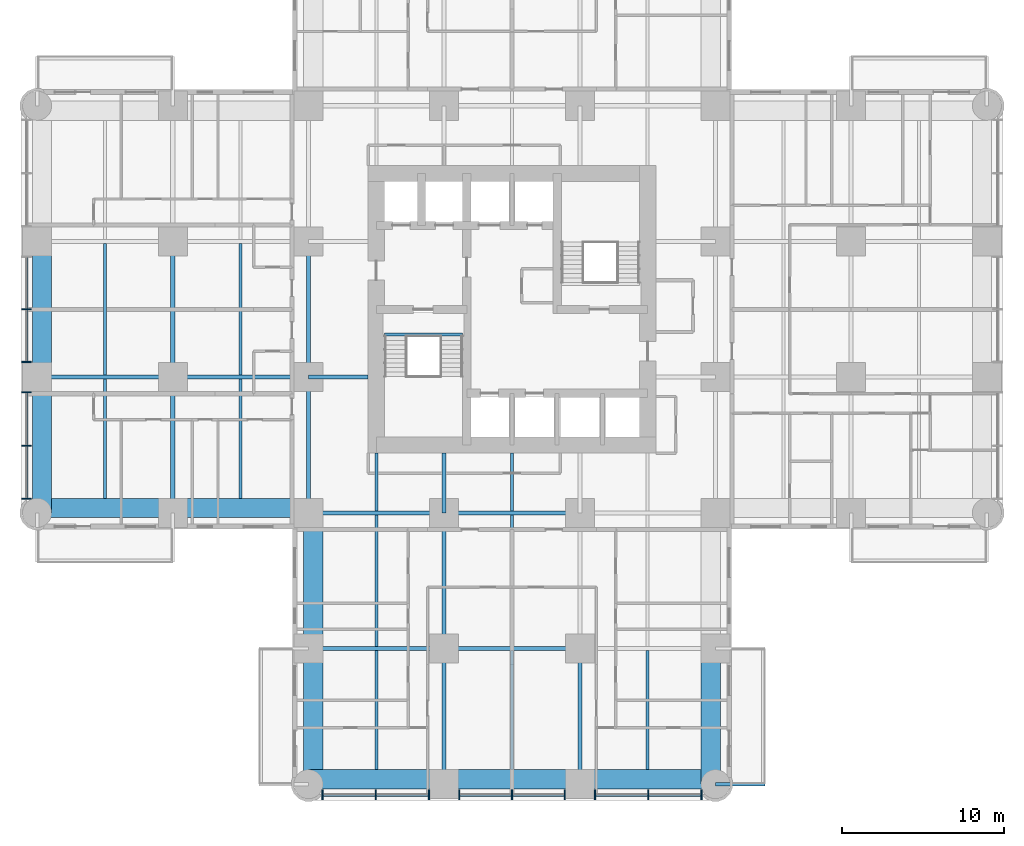
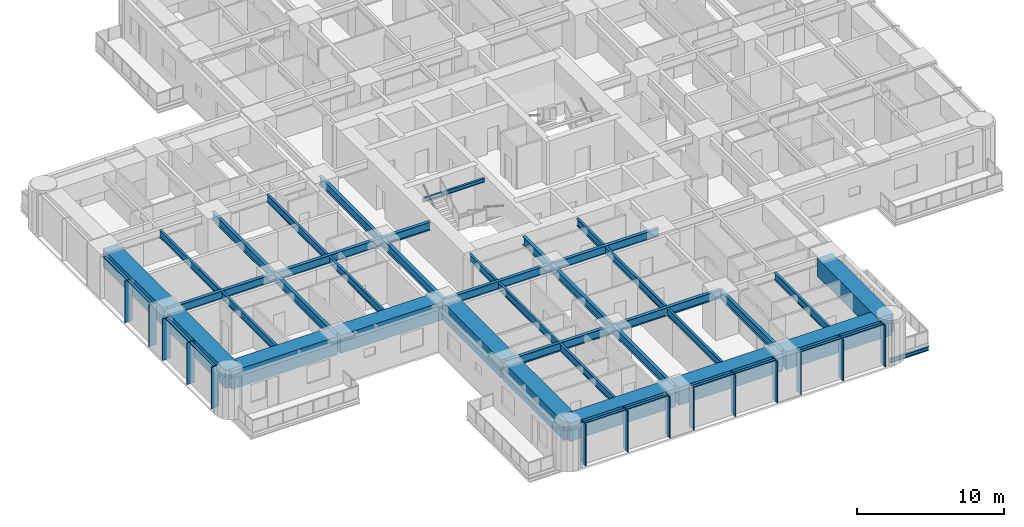
# One storey, part 2 of 17: 38 beams, 24 members, 2 elements without a shape of their own.
"""IFC4 building model written with IfcOpenShell, lengths in metres."""

from ifc_helpers import new_model, si_unit, direction, frame, origin, origin_2d, place, context, subcontext, project, spatial, rectangle, i_section, extrude, material, material_profile, profile_set, type_object, element, aggregate, save


model = new_model("IFC4")

# Units and contexts
model_context = context("Model", 3, precision=1e-05, world=origin(), true_north=direction((0.0, 1.0)))
body_context = subcontext(model_context, "Body", "Model", "MODEL_VIEW")
ifc_project = project(units=[si_unit("LENGTHUNIT", "METRE"), si_unit("AREAUNIT", "SQUARE_METRE"), si_unit("VOLUMEUNIT", "CUBIC_METRE"), si_unit("PLANEANGLEUNIT", "RADIAN"), si_unit("MASSUNIT", "GRAM", prefix="KILO")], contexts=[model_context])

# Site, building, storey
site_placement = place(None, origin())
site = spatial("IfcSite", under=ifc_project, at=site_placement, CompositionType="ELEMENT")
building_placement = place(site_placement, origin())
building = spatial("IfcBuilding", under=site, at=building_placement, Name="Torre Alcanfor", CompositionType="ELEMENT")
storey_placement = place(building_placement, frame((0.0, 0.0, 77.699951171875)))
storey = spatial("IfcBuildingStorey", under=building, at=storey_placement, Name="L19", CompositionType="ELEMENT", Elevation=77.699951171875)

# Beam
ifc_material_1 = material(Name="Steel ASTM A992 Grade 50", Category="steel")
ifc_material_profile_1 = material_profile(ifc_material_1, i_section(OverallWidth=0.205322265625, OverallDepth=0.309814453125, WebThickness=0.00927734375, FlangeThickness=0.016357421875, at=origin_2d()), Name="W12x50")
ifc_profile_set_1 = profile_set([ifc_material_profile_1], Name="Steel ASTM A992 Grade 50")
beam_type_1 = type_object("IfcBeamType", Name="Balcony cantilever beam W12x50", PredefinedType="BEAM", material=ifc_profile_set_1)
beam_1_placement = place(storey_placement, frame((42.0, 0.0, -0.35498046875), z_axis=(1.0, 0.0, 0.0), x_axis=(0.0, 1.0, 0.0)))
element("IfcBeam", 1, at=beam_1_placement, inside=storey, type_object=beam_type_1, Name="Balcony cantilever beam L19-S1 2", PredefinedType="BEAM", context=body_context, shape_type="SweptSolid", body=[
    extrude(i_section(OverallWidth=0.205322265625, OverallDepth=0.309814453125, WebThickness=0.00927734375, FlangeThickness=0.016357421875, at=origin_2d()), origin(), (0.0, 0.0, 1.0), 3.050048828125),
])

# Curtain wall, members
ifc_material_2 = material(Name="Aluminium and glass", Category="aluminium")
curtain_wall_type = type_object("IfcCurtainWallType", Name="CW-A unitised apartment glazing with vertical FIN", PredefinedType="NOTDEFINED", material=ifc_material_2)
curtain_wall_1_placement = place(storey_placement, origin())
curtain_wall_1 = element("IfcCurtainWall", 2, at=curtain_wall_1_placement, inside=storey, type_object=curtain_wall_type, Name="Curtain wall CW-A L19 2", PredefinedType="NOTDEFINED")
ifc_material_3 = material(Name="Bronze anodised aluminium", Category="aluminium")
ifc_material_profile_2 = material_profile(ifc_material_3, rectangle(XDim=0.60009765625, YDim=0.06494140625, at=origin_2d()), Name="CW-A mullion 65x600")
ifc_profile_set_2 = profile_set([ifc_material_profile_2], Name="Bronze anodised aluminium")
member_type_1 = type_object("IfcMemberType", Name="CW-A mullion with vertical FIN 65x600", PredefinedType="MULLION", material=ifc_profile_set_2)
member_1_placement = place(storey_placement, frame((-0.64990234375, 29.39990234375, 0.0), z_axis=(0.0, 0.0, 1.0), x_axis=(1.0, 0.0, 0.0)))
member_1 = element("IfcMember", 3, at=member_1_placement, type_object=member_type_1, Name="CW-A mullion 2.2", PredefinedType="MULLION", context=body_context, shape_type="SweptSolid", body=[
    extrude(rectangle(XDim=0.60009765625, YDim=0.06494140625, at=origin_2d()), origin(), (0.0, 0.0, 1.0), 3.449951171875),
])
member_2_placement = place(storey_placement, frame((-0.64990234375, 26.137451171875, 0.0), z_axis=(0.0, 0.0, 1.0), x_axis=(1.0, 0.0, 0.0)))
member_2 = element("IfcMember", 4, at=member_2_placement, type_object=member_type_1, Name="CW-A mullion 2.3", PredefinedType="MULLION", context=body_context, shape_type="SweptSolid", body=[
    extrude(rectangle(XDim=0.60009765625, YDim=0.06494140625, at=origin_2d()), origin(), (0.0, 0.0, 1.0), 3.449951171875),
])
member_3_placement = place(storey_placement, frame((-0.64990234375, 24.262451171875, 0.0), z_axis=(0.0, 0.0, 1.0), x_axis=(1.0, 0.0, 0.0)))
member_3 = element("IfcMember", 5, at=member_3_placement, type_object=member_type_1, Name="CW-A mullion 3.1", PredefinedType="MULLION", context=body_context, shape_type="SweptSolid", body=[
    extrude(rectangle(XDim=0.60009765625, YDim=0.06494140625, at=origin_2d()), origin(), (0.0, 0.0, 1.0), 3.449951171875),
])
member_4_placement = place(storey_placement, frame((-0.64990234375, 20.96484375, 0.0), z_axis=(0.0, 0.0, 1.0), x_axis=(1.0, 0.0, 0.0)))
member_4 = element("IfcMember", 6, at=member_4_placement, type_object=member_type_1, Name="CW-A mullion 3.2", PredefinedType="MULLION", context=body_context, shape_type="SweptSolid", body=[
    extrude(rectangle(XDim=0.60009765625, YDim=0.06494140625, at=origin_2d()), origin(), (0.0, 0.0, 1.0), 3.449951171875),
])
member_5_placement = place(storey_placement, frame((-0.64990234375, 17.6669921875, 0.0), z_axis=(0.0, 0.0, 1.0), x_axis=(1.0, 0.0, 0.0)))
member_5 = element("IfcMember", 7, at=member_5_placement, type_object=member_type_1, Name="CW-A mullion 3.3", PredefinedType="MULLION", context=body_context, shape_type="SweptSolid", body=[
    extrude(rectangle(XDim=0.60009765625, YDim=0.06494140625, at=origin_2d()), origin(), (0.0, 0.0, 1.0), 3.449951171875),
])

curtain_wall_2_placement = place(storey_placement, origin())
curtain_wall_2 = element("IfcCurtainWall", 8, at=curtain_wall_2_placement, inside=storey, type_object=curtain_wall_type, Name="Curtain wall CW-A L19 5", PredefinedType="NOTDEFINED")
member_6_placement = place(storey_placement, frame((17.6669921875, -0.64990234375, 0.0), z_axis=(0.0, 0.0, 1.0), x_axis=(0.0, 1.0, 0.0)))
member_6 = element("IfcMember", 9, at=member_6_placement, type_object=member_type_1, Name="CW-A mullion 1.1", PredefinedType="MULLION", context=body_context, shape_type="SweptSolid", body=[
    extrude(rectangle(XDim=0.60009765625, YDim=0.06494140625, at=origin_2d()), origin(), (0.0, 0.0, 1.0), 3.449951171875),
])
member_7_placement = place(storey_placement, frame((20.96484375, -0.64990234375, 0.0), z_axis=(0.0, 0.0, 1.0), x_axis=(0.0, 1.0, 0.0)))
member_7 = element("IfcMember", 10, at=member_7_placement, type_object=member_type_1, Name="CW-A mullion 1.2", PredefinedType="MULLION", context=body_context, shape_type="SweptSolid", body=[
    extrude(rectangle(XDim=0.60009765625, YDim=0.06494140625, at=origin_2d()), origin(), (0.0, 0.0, 1.0), 3.449951171875),
])
member_8_placement = place(storey_placement, frame((24.262451171875, -0.64990234375, 0.0), z_axis=(0.0, 0.0, 1.0), x_axis=(0.0, 1.0, 0.0)))
member_8 = element("IfcMember", 11, at=member_8_placement, type_object=member_type_1, Name="CW-A mullion 1.3", PredefinedType="MULLION", context=body_context, shape_type="SweptSolid", body=[
    extrude(rectangle(XDim=0.60009765625, YDim=0.06494140625, at=origin_2d()), origin(), (0.0, 0.0, 1.0), 3.449951171875),
])
member_9_placement = place(storey_placement, frame((26.137451171875, -0.64990234375, 0.0), z_axis=(0.0, 0.0, 1.0), x_axis=(0.0, 1.0, 0.0)))
member_9 = element("IfcMember", 12, at=member_9_placement, type_object=member_type_1, Name="CW-A mullion 2.1", PredefinedType="MULLION", context=body_context, shape_type="SweptSolid", body=[
    extrude(rectangle(XDim=0.60009765625, YDim=0.06494140625, at=origin_2d()), origin(), (0.0, 0.0, 1.0), 3.449951171875),
])
member_10_placement = place(storey_placement, frame((29.39990234375, -0.64990234375, 0.0), z_axis=(0.0, 0.0, 1.0), x_axis=(0.0, 1.0, 0.0)))
member_10 = element("IfcMember", 13, at=member_10_placement, type_object=member_type_1, Name="CW-A mullion 2.2", PredefinedType="MULLION", context=body_context, shape_type="SweptSolid", body=[
    extrude(rectangle(XDim=0.60009765625, YDim=0.06494140625, at=origin_2d()), origin(), (0.0, 0.0, 1.0), 3.449951171875),
])
member_11_placement = place(storey_placement, frame((32.66259765625, -0.64990234375, 0.0), z_axis=(0.0, 0.0, 1.0), x_axis=(0.0, 1.0, 0.0)))
member_11 = element("IfcMember", 14, at=member_11_placement, type_object=member_type_1, Name="CW-A mullion 2.3", PredefinedType="MULLION", context=body_context, shape_type="SweptSolid", body=[
    extrude(rectangle(XDim=0.60009765625, YDim=0.06494140625, at=origin_2d()), origin(), (0.0, 0.0, 1.0), 3.449951171875),
])
member_12_placement = place(storey_placement, frame((34.53759765625, -0.64990234375, 0.0), z_axis=(0.0, 0.0, 1.0), x_axis=(0.0, 1.0, 0.0)))
member_12 = element("IfcMember", 15, at=member_12_placement, type_object=member_type_1, Name="CW-A mullion 3.1", PredefinedType="MULLION", context=body_context, shape_type="SweptSolid", body=[
    extrude(rectangle(XDim=0.60009765625, YDim=0.06494140625, at=origin_2d()), origin(), (0.0, 0.0, 1.0), 3.449951171875),
])
member_13_placement = place(storey_placement, frame((37.835205078125, -0.64990234375, 0.0), z_axis=(0.0, 0.0, 1.0), x_axis=(0.0, 1.0, 0.0)))
member_13 = element("IfcMember", 16, at=member_13_placement, type_object=member_type_1, Name="CW-A mullion 3.2", PredefinedType="MULLION", context=body_context, shape_type="SweptSolid", body=[
    extrude(rectangle(XDim=0.60009765625, YDim=0.06494140625, at=origin_2d()), origin(), (0.0, 0.0, 1.0), 3.449951171875),
])
member_14_placement = place(storey_placement, frame((41.133056640625, -0.64990234375, 0.0), z_axis=(0.0, 0.0, 1.0), x_axis=(0.0, 1.0, 0.0)))
member_14 = element("IfcMember", 17, at=member_14_placement, type_object=member_type_1, Name="CW-A mullion 3.3", PredefinedType="MULLION", context=body_context, shape_type="SweptSolid", body=[
    extrude(rectangle(XDim=0.60009765625, YDim=0.06494140625, at=origin_2d()), origin(), (0.0, 0.0, 1.0), 3.449951171875),
])

# Member
ifc_material_4 = material(Name="Extruded aluminium", Category="aluminium")
ifc_material_profile_3 = material_profile(ifc_material_4, rectangle(XDim=0.199951171875, YDim=0.06494140625, at=origin_2d()), Name="CW-A transom 200x65")
ifc_profile_set_3 = profile_set([ifc_material_profile_3], Name="Extruded aluminium")
member_type_2 = type_object("IfcMemberType", Name="CW-A transom 65x200", PredefinedType="USERDEFINED", material=ifc_profile_set_3)
member_15_placement = place(storey_placement, frame((-0.64990234375, 32.6298828125, 3.41748046875), z_axis=(0.0, -1.0, 0.0), x_axis=(1.0, 0.0, 0.0)))
member_15 = element("IfcMember", 18, at=member_15_placement, type_object=member_type_2, Name="CW-A transom 2.1.2", ObjectType="TRANSOM", PredefinedType="USERDEFINED", context=body_context, shape_type="SweptSolid", body=[
    extrude(rectangle(XDim=0.199951171875, YDim=0.06494140625, at=origin_2d()), origin(), (0.0, 0.0, 1.0), 3.197265625),
])

member_16_placement = place(storey_placement, frame((-0.64990234375, 29.367431640625, 3.41748046875), z_axis=(0.0, -1.0, 0.0), x_axis=(1.0, 0.0, 0.0)))
member_16 = element("IfcMember", 19, at=member_16_placement, type_object=member_type_2, Name="CW-A transom 2.2.2", ObjectType="TRANSOM", PredefinedType="USERDEFINED", context=body_context, shape_type="SweptSolid", body=[
    extrude(rectangle(XDim=0.199951171875, YDim=0.06494140625, at=origin_2d()), origin(), (0.0, 0.0, 1.0), 3.197509765625),
])

member_17_placement = place(storey_placement, frame((-0.64990234375, 24.22998046875, 3.41748046875), z_axis=(0.0, -1.0, 0.0), x_axis=(1.0, 0.0, 0.0)))
member_17 = element("IfcMember", 20, at=member_17_placement, type_object=member_type_2, Name="CW-A transom 3.1.2", ObjectType="TRANSOM", PredefinedType="USERDEFINED", context=body_context, shape_type="SweptSolid", body=[
    extrude(rectangle(XDim=0.199951171875, YDim=0.06494140625, at=origin_2d()), origin(), (0.0, 0.0, 1.0), 3.232666015625),
])

member_18_placement = place(storey_placement, frame((-0.64990234375, 20.93212890625, 3.41748046875), z_axis=(0.0, -1.0, 0.0), x_axis=(1.0, 0.0, 0.0)))
member_18 = element("IfcMember", 21, at=member_18_placement, type_object=member_type_2, Name="CW-A transom 3.2.2", ObjectType="TRANSOM", PredefinedType="USERDEFINED", context=body_context, shape_type="SweptSolid", body=[
    extrude(rectangle(XDim=0.199951171875, YDim=0.06494140625, at=origin_2d()), origin(), (0.0, 0.0, 1.0), 3.232666015625),
])

aggregate(curtain_wall_1, [member_1, member_2, member_15, member_16, member_3, member_4, member_5, member_17, member_18])

member_19_placement = place(storey_placement, frame((17.699462890625, -0.64990234375, 3.41748046875), z_axis=(1.0, 0.0, 0.0), x_axis=(0.0, 1.0, 0.0)))
member_19 = element("IfcMember", 22, at=member_19_placement, type_object=member_type_2, Name="CW-A transom 1.1.2", ObjectType="TRANSOM", PredefinedType="USERDEFINED", context=body_context, shape_type="SweptSolid", body=[
    extrude(rectangle(XDim=0.199951171875, YDim=0.06494140625, at=origin_2d()), origin(), (0.0, 0.0, 1.0), 3.232666015625),
])

member_20_placement = place(storey_placement, frame((20.997314453125, -0.64990234375, 3.41748046875), z_axis=(1.0, 0.0, 0.0), x_axis=(0.0, 1.0, 0.0)))
member_20 = element("IfcMember", 23, at=member_20_placement, type_object=member_type_2, Name="CW-A transom 1.2.2", ObjectType="TRANSOM", PredefinedType="USERDEFINED", context=body_context, shape_type="SweptSolid", body=[
    extrude(rectangle(XDim=0.199951171875, YDim=0.06494140625, at=origin_2d()), origin(), (0.0, 0.0, 1.0), 3.232666015625),
])

member_21_placement = place(storey_placement, frame((26.169921875, -0.64990234375, 3.41748046875), z_axis=(1.0, 0.0, 0.0), x_axis=(0.0, 1.0, 0.0)))
member_21 = element("IfcMember", 24, at=member_21_placement, type_object=member_type_2, Name="CW-A transom 2.1.2", ObjectType="TRANSOM", PredefinedType="USERDEFINED", context=body_context, shape_type="SweptSolid", body=[
    extrude(rectangle(XDim=0.199951171875, YDim=0.06494140625, at=origin_2d()), origin(), (0.0, 0.0, 1.0), 3.197509765625),
])

member_22_placement = place(storey_placement, frame((29.4326171875, -0.64990234375, 3.41748046875), z_axis=(1.0, 0.0, 0.0), x_axis=(0.0, 1.0, 0.0)))
member_22 = element("IfcMember", 25, at=member_22_placement, type_object=member_type_2, Name="CW-A transom 2.2.2", ObjectType="TRANSOM", PredefinedType="USERDEFINED", context=body_context, shape_type="SweptSolid", body=[
    extrude(rectangle(XDim=0.199951171875, YDim=0.06494140625, at=origin_2d()), origin(), (0.0, 0.0, 1.0), 3.197265625),
])

member_23_placement = place(storey_placement, frame((34.570068359375, -0.64990234375, 3.41748046875), z_axis=(1.0, 0.0, 0.0), x_axis=(0.0, 1.0, 0.0)))
member_23 = element("IfcMember", 26, at=member_23_placement, type_object=member_type_2, Name="CW-A transom 3.1.2", ObjectType="TRANSOM", PredefinedType="USERDEFINED", context=body_context, shape_type="SweptSolid", body=[
    extrude(rectangle(XDim=0.199951171875, YDim=0.06494140625, at=origin_2d()), origin(), (0.0, 0.0, 1.0), 3.232666015625),
])

member_24_placement = place(storey_placement, frame((37.86767578125, -0.64990234375, 3.41748046875), z_axis=(1.0, 0.0, 0.0), x_axis=(0.0, 1.0, 0.0)))
member_24 = element("IfcMember", 27, at=member_24_placement, type_object=member_type_2, Name="CW-A transom 3.2.2", ObjectType="TRANSOM", PredefinedType="USERDEFINED", context=body_context, shape_type="SweptSolid", body=[
    extrude(rectangle(XDim=0.199951171875, YDim=0.06494140625, at=origin_2d()), origin(), (0.0, 0.0, 1.0), 3.23291015625),
])

aggregate(curtain_wall_2, [member_6, member_7, member_8, member_19, member_20, member_9, member_10, member_11, member_21, member_22, member_12, member_13, member_14, member_23, member_24])

# Beams
ifc_material_5 = material(Name="Steel ASTM A992 Grade 50", Category="steel")
ifc_material_profile_4 = material_profile(ifc_material_5, i_section(OverallWidth=0.25390625, OverallDepth=0.683349609375, WebThickness=0.012451171875, FlangeThickness=0.01904296875, at=origin_2d()), Name="W27x94")
ifc_profile_set_4 = profile_set([ifc_material_profile_4], Name="Steel ASTM A992 Grade 50")
beam_type_2 = type_object("IfcBeamType", Name="Girder W27x94", PredefinedType="BEAM", material=ifc_profile_set_4)
beam_2_placement = place(storey_placement, frame((16.800048828125, 8.39990234375, 3.1083984375), z_axis=(1.0, 0.0, 0.0), x_axis=(0.0, 1.0, 0.0)))
element("IfcBeam", 28, at=beam_2_placement, inside=storey, type_object=beam_type_2, Name="Beam 3D-4D under L20", PredefinedType="BEAM", context=body_context, shape_type="SweptSolid", body=[
    extrude(i_section(OverallWidth=0.25390625, OverallDepth=0.683349609375, WebThickness=0.012451171875, FlangeThickness=0.01904296875, at=origin_2d()), origin(), (0.0, 0.0, 1.0), 8.39990234375),
])
beam_3_placement = place(storey_placement, frame((25.199951171875, 8.39990234375, 3.1083984375), z_axis=(1.0, 0.0, 0.0), x_axis=(0.0, 1.0, 0.0)))
element("IfcBeam", 29, at=beam_3_placement, inside=storey, type_object=beam_type_2, Name="Beam 4D-5D under L20", PredefinedType="BEAM", context=body_context, shape_type="SweptSolid", body=[
    extrude(i_section(OverallWidth=0.25390625, OverallDepth=0.683349609375, WebThickness=0.012451171875, FlangeThickness=0.01904296875, at=origin_2d()), origin(), (0.0, 0.0, 1.0), 8.400146484375),
])
beam_4_placement = place(storey_placement, frame((16.800048828125, 16.800048828125, 3.1083984375), z_axis=(1.0, 0.0, 0.0), x_axis=(0.0, 1.0, 0.0)))
element("IfcBeam", 30, at=beam_4_placement, inside=storey, type_object=beam_type_2, Name="Beam 3E-4E under L20", PredefinedType="BEAM", context=body_context, shape_type="SweptSolid", body=[
    extrude(i_section(OverallWidth=0.25390625, OverallDepth=0.683349609375, WebThickness=0.012451171875, FlangeThickness=0.01904296875, at=origin_2d()), origin(), (0.0, 0.0, 1.0), 8.39990234375),
])
beam_5_placement = place(storey_placement, frame((25.199951171875, 16.800048828125, 3.1083984375), z_axis=(1.0, 0.0, 0.0), x_axis=(0.0, 1.0, 0.0)))
element("IfcBeam", 31, at=beam_5_placement, inside=storey, type_object=beam_type_2, Name="Beam 4E-5E under L20", PredefinedType="BEAM", context=body_context, shape_type="SweptSolid", body=[
    extrude(i_section(OverallWidth=0.25390625, OverallDepth=0.683349609375, WebThickness=0.012451171875, FlangeThickness=0.01904296875, at=origin_2d()), origin(), (0.0, 0.0, 1.0), 8.400146484375),
])
beam_6_placement = place(storey_placement, frame((0.0, 25.199951171875, 3.1083984375), z_axis=(1.0, 0.0, 0.0), x_axis=(0.0, 1.0, 0.0)))
element("IfcBeam", 32, at=beam_6_placement, inside=storey, type_object=beam_type_2, Name="Beam 1F-2F under L20", PredefinedType="BEAM", context=body_context, shape_type="SweptSolid", body=[
    extrude(i_section(OverallWidth=0.25390625, OverallDepth=0.683349609375, WebThickness=0.012451171875, FlangeThickness=0.01904296875, at=origin_2d()), origin(), (0.0, 0.0, 1.0), 8.39990234375),
])
beam_7_placement = place(storey_placement, frame((8.39990234375, 25.199951171875, 3.1083984375), z_axis=(1.0, 0.0, 0.0), x_axis=(0.0, 1.0, 0.0)))
element("IfcBeam", 33, at=beam_7_placement, inside=storey, type_object=beam_type_2, Name="Beam 2F-3F under L20", PredefinedType="BEAM", context=body_context, shape_type="SweptSolid", body=[
    extrude(i_section(OverallWidth=0.25390625, OverallDepth=0.683349609375, WebThickness=0.012451171875, FlangeThickness=0.01904296875, at=origin_2d()), origin(), (0.0, 0.0, 1.0), 8.400146484375),
])
beam_8_placement = place(storey_placement, frame((8.39990234375, 16.800048828125, 3.1083984375), z_axis=(0.0, 1.0, 0.0), x_axis=(-1.0, 0.0, 0.0)))
element("IfcBeam", 34, at=beam_8_placement, inside=storey, type_object=beam_type_2, Name="Beam 2E-2F under L20", PredefinedType="BEAM", context=body_context, shape_type="SweptSolid", body=[
    extrude(i_section(OverallWidth=0.25390625, OverallDepth=0.683349609375, WebThickness=0.012451171875, FlangeThickness=0.01904296875, at=origin_2d()), origin(), (0.0, 0.0, 1.0), 8.39990234375),
])
beam_9_placement = place(storey_placement, frame((8.39990234375, 25.199951171875, 3.1083984375), z_axis=(0.0, 1.0, 0.0), x_axis=(-1.0, 0.0, 0.0)))
element("IfcBeam", 35, at=beam_9_placement, inside=storey, type_object=beam_type_2, Name="Beam 2F-2G under L20", PredefinedType="BEAM", context=body_context, shape_type="SweptSolid", body=[
    extrude(i_section(OverallWidth=0.25390625, OverallDepth=0.683349609375, WebThickness=0.012451171875, FlangeThickness=0.01904296875, at=origin_2d()), origin(), (0.0, 0.0, 1.0), 8.400146484375),
])
beam_10_placement = place(storey_placement, frame((16.800048828125, 16.800048828125, 3.1083984375), z_axis=(0.0, 1.0, 0.0), x_axis=(-1.0, 0.0, 0.0)))
element("IfcBeam", 36, at=beam_10_placement, inside=storey, type_object=beam_type_2, Name="Beam 3E-3F under L20", PredefinedType="BEAM", context=body_context, shape_type="SweptSolid", body=[
    extrude(i_section(OverallWidth=0.25390625, OverallDepth=0.683349609375, WebThickness=0.012451171875, FlangeThickness=0.01904296875, at=origin_2d()), origin(), (0.0, 0.0, 1.0), 8.39990234375),
])
beam_11_placement = place(storey_placement, frame((16.800048828125, 25.199951171875, 3.1083984375), z_axis=(0.0, 1.0, 0.0), x_axis=(-1.0, 0.0, 0.0)))
element("IfcBeam", 37, at=beam_11_placement, inside=storey, type_object=beam_type_2, Name="Beam 3F-3G under L20", PredefinedType="BEAM", context=body_context, shape_type="SweptSolid", body=[
    extrude(i_section(OverallWidth=0.25390625, OverallDepth=0.683349609375, WebThickness=0.012451171875, FlangeThickness=0.01904296875, at=origin_2d()), origin(), (0.0, 0.0, 1.0), 8.400146484375),
])
beam_12_placement = place(storey_placement, frame((25.199951171875, 0.0, 3.1083984375), z_axis=(0.0, 1.0, 0.0), x_axis=(-1.0, 0.0, 0.0)))
element("IfcBeam", 38, at=beam_12_placement, inside=storey, type_object=beam_type_2, Name="Beam 4C-4D under L20", PredefinedType="BEAM", context=body_context, shape_type="SweptSolid", body=[
    extrude(i_section(OverallWidth=0.25390625, OverallDepth=0.683349609375, WebThickness=0.012451171875, FlangeThickness=0.01904296875, at=origin_2d()), origin(), (0.0, 0.0, 1.0), 8.39990234375),
])
beam_13_placement = place(storey_placement, frame((25.199951171875, 8.39990234375, 3.1083984375), z_axis=(0.0, 1.0, 0.0), x_axis=(-1.0, 0.0, 0.0)))
element("IfcBeam", 39, at=beam_13_placement, inside=storey, type_object=beam_type_2, Name="Beam 4D-4E under L20", PredefinedType="BEAM", context=body_context, shape_type="SweptSolid", body=[
    extrude(i_section(OverallWidth=0.25390625, OverallDepth=0.683349609375, WebThickness=0.012451171875, FlangeThickness=0.01904296875, at=origin_2d()), origin(), (0.0, 0.0, 1.0), 8.400146484375),
])
beam_14_placement = place(storey_placement, frame((33.60009765625, 0.0, 3.1083984375), z_axis=(0.0, 1.0, 0.0), x_axis=(-1.0, 0.0, 0.0)))
element("IfcBeam", 40, at=beam_14_placement, inside=storey, type_object=beam_type_2, Name="Beam 5C-5D under L20", PredefinedType="BEAM", context=body_context, shape_type="SweptSolid", body=[
    extrude(i_section(OverallWidth=0.25390625, OverallDepth=0.683349609375, WebThickness=0.012451171875, FlangeThickness=0.01904296875, at=origin_2d()), origin(), (0.0, 0.0, 1.0), 8.39990234375),
])
ifc_material_6 = material(Name="Steel ASTM A992 Grade 50", Category="steel")
ifc_material_profile_5 = material_profile(ifc_material_6, i_section(OverallWidth=0.25390625, OverallDepth=0.683349609375, WebThickness=0.012451171875, FlangeThickness=0.01904296875, at=origin_2d()), Name="W27x94")
ifc_profile_set_5 = profile_set([ifc_material_profile_5], Name="Steel ASTM A992 Grade 50")
beam_type_3 = type_object("IfcBeamType", Name="Girder, part bay W27x94", PredefinedType="BEAM", material=ifc_profile_set_5)
for number, where, z_axis, x_axis, name in (
    (41, (25.199951171875, 16.800048828125, 3.1083984375), (0.0, 1.0, 0.0), (-1.0, 0.0, 0.0), "Beam 4E-420_5 under L20"),
    (42, (16.800048828125, 25.199951171875, 3.1083984375), (1.0, 0.0, 0.0), (0.0, 1.0, 0.0), "Beam 3F-20_5F under L20"),
):
    element("IfcBeam", number, at=place(storey_placement, frame(where, z_axis=z_axis, x_axis=x_axis)), inside=storey, type_object=beam_type_3, Name=name, PredefinedType="BEAM", context=body_context, shape_type="SweptSolid", body=[
        extrude(i_section(OverallWidth=0.25390625, OverallDepth=0.683349609375, WebThickness=0.012451171875, FlangeThickness=0.01904296875, at=origin_2d()), origin(), (0.0, 0.0, 1.0), 3.699951171875),
    ])
ifc_material_7 = material(Name="Concrete f'c 70 MPa", Category="concrete")
ifc_material_profile_6 = material_profile(ifc_material_7, rectangle(XDim=1.199951171875, YDim=1.5, at=origin_2d()), Name="1200x1500")
ifc_profile_set_6 = profile_set([ifc_material_profile_6], Name="Concrete f'c 70 MPa")
beam_type_4 = type_object("IfcBeamType", Name="RC perimeter beam 1200x1500", PredefinedType="BEAM", material=ifc_profile_set_6)
beam_15_placement = place(storey_placement, frame((16.800048828125, 0.300048828125, 2.699951171875), z_axis=(1.0, 0.0, 0.0), x_axis=(0.0, 1.0, 0.0)))
element("IfcBeam", 43, at=beam_15_placement, inside=storey, type_object=beam_type_4, Name="Beam 3C-4C under L20", PredefinedType="BEAM", context=body_context, shape_type="SweptSolid", body=[
    extrude(rectangle(XDim=1.199951171875, YDim=1.5, at=origin_2d()), origin(), (0.0, 0.0, 1.0), 8.27294921875),
])
beam_16_placement = place(storey_placement, frame((25.326904296875, 0.300048828125, 2.699951171875), z_axis=(1.0, 0.0, 0.0), x_axis=(0.0, 1.0, 0.0)))
element("IfcBeam", 44, at=beam_16_placement, inside=storey, type_object=beam_type_4, Name="Beam 4C-5C under L20", PredefinedType="BEAM", context=body_context, shape_type="SweptSolid", body=[
    extrude(rectangle(XDim=1.199951171875, YDim=1.5, at=origin_2d()), origin(), (0.0, 0.0, 1.0), 8.14599609375),
])
for number, where, z_axis, x_axis, name in (
    (45, (33.72705078125, 0.300048828125, 2.699951171875), (1.0, 0.0, 0.0), (0.0, 1.0, 0.0), "Beam 5C-6C under L20"),
    (46, (0.0, 17.10009765625, 2.699951171875), (1.0, 0.0, 0.0), (0.0, 1.0, 0.0), "Beam 1E-2E under L20"),
):
    element("IfcBeam", number, at=place(storey_placement, frame(where, z_axis=z_axis, x_axis=x_axis)), inside=storey, type_object=beam_type_4, Name=name, PredefinedType="BEAM", context=body_context, shape_type="SweptSolid", body=[
        extrude(rectangle(XDim=1.199951171875, YDim=1.5, at=origin_2d()), origin(), (0.0, 0.0, 1.0), 8.27294921875),
    ])
beam_17_placement = place(storey_placement, frame((8.527099609375, 17.10009765625, 2.699951171875), z_axis=(1.0, 0.0, 0.0), x_axis=(0.0, 1.0, 0.0)))
element("IfcBeam", 47, at=beam_17_placement, inside=storey, type_object=beam_type_4, Name="Beam 2E-3E under L20", PredefinedType="BEAM", context=body_context, shape_type="SweptSolid", body=[
    extrude(rectangle(XDim=1.199951171875, YDim=1.5, at=origin_2d()), origin(), (0.0, 0.0, 1.0), 8.14599609375),
])
beam_18_placement = place(storey_placement, frame((0.300048828125, 16.800048828125, 2.699951171875), z_axis=(0.0, 1.0, 0.0), x_axis=(-1.0, 0.0, 0.0)))
element("IfcBeam", 48, at=beam_18_placement, inside=storey, type_object=beam_type_4, Name="Beam 1E-1F under L20", PredefinedType="BEAM", context=body_context, shape_type="SweptSolid", body=[
    extrude(rectangle(XDim=1.199951171875, YDim=1.5, at=origin_2d()), origin(), (0.0, 0.0, 1.0), 8.27294921875),
])
beam_19_placement = place(storey_placement, frame((0.300048828125, 25.326904296875, 2.699951171875), z_axis=(0.0, 1.0, 0.0), x_axis=(-1.0, 0.0, 0.0)))
element("IfcBeam", 49, at=beam_19_placement, inside=storey, type_object=beam_type_4, Name="Beam 1F-1G under L20", PredefinedType="BEAM", context=body_context, shape_type="SweptSolid", body=[
    extrude(rectangle(XDim=1.199951171875, YDim=1.5, at=origin_2d()), origin(), (0.0, 0.0, 1.0), 8.14599609375),
])
beam_20_placement = place(storey_placement, frame((17.10009765625, 0.0, 2.699951171875), z_axis=(0.0, 1.0, 0.0), x_axis=(-1.0, 0.0, 0.0)))
element("IfcBeam", 50, at=beam_20_placement, inside=storey, type_object=beam_type_4, Name="Beam 3C-3D under L20", PredefinedType="BEAM", context=body_context, shape_type="SweptSolid", body=[
    extrude(rectangle(XDim=1.199951171875, YDim=1.5, at=origin_2d()), origin(), (0.0, 0.0, 1.0), 8.27294921875),
])
beam_21_placement = place(storey_placement, frame((17.10009765625, 8.527099609375, 2.699951171875), z_axis=(0.0, 1.0, 0.0), x_axis=(-1.0, 0.0, 0.0)))
element("IfcBeam", 51, at=beam_21_placement, inside=storey, type_object=beam_type_4, Name="Beam 3D-3E under L20", PredefinedType="BEAM", context=body_context, shape_type="SweptSolid", body=[
    extrude(rectangle(XDim=1.199951171875, YDim=1.5, at=origin_2d()), origin(), (0.0, 0.0, 1.0), 8.14599609375),
])
beam_22_placement = place(storey_placement, frame((41.699951171875, 0.0, 2.699951171875), z_axis=(0.0, 1.0, 0.0), x_axis=(-1.0, 0.0, 0.0)))
element("IfcBeam", 52, at=beam_22_placement, inside=storey, type_object=beam_type_4, Name="Beam 6C-6D under L20", PredefinedType="BEAM", context=body_context, shape_type="SweptSolid", body=[
    extrude(rectangle(XDim=1.199951171875, YDim=1.5, at=origin_2d()), origin(), (0.0, 0.0, 1.0), 8.27294921875),
])
ifc_material_8 = material(Name="Steel ASTM A992 Grade 50", Category="steel")
ifc_material_profile_7 = material_profile(ifc_material_8, i_section(OverallWidth=0.1787109375, OverallDepth=0.60205078125, WebThickness=0.010986328125, FlangeThickness=0.014892578125, at=origin_2d()), Name="W24x62")
ifc_profile_set_7 = profile_set([ifc_material_profile_7], Name="Steel ASTM A992 Grade 50")
beam_type_5 = type_object("IfcBeamType", Name="Secondary beam W24x62", PredefinedType="BEAM", material=ifc_profile_set_7)
beam_23_placement = place(storey_placement, frame((4.199951171875, 17.699951171875, 3.149169921875), z_axis=(0.0, 1.0, 0.0), x_axis=(-1.0, 0.0, 0.0)))
element("IfcBeam", 53, at=beam_23_placement, inside=storey, type_object=beam_type_5, Name="Beam 4_2E-4_2F under L20", PredefinedType="BEAM", context=body_context, shape_type="SweptSolid", body=[
    extrude(i_section(OverallWidth=0.1787109375, OverallDepth=0.60205078125, WebThickness=0.010986328125, FlangeThickness=0.014892578125, at=origin_2d()), origin(), (0.0, 0.0, 1.0), 7.373046875),
])
beam_24_placement = place(storey_placement, frame((4.199951171875, 25.326904296875, 3.149169921875), z_axis=(0.0, 1.0, 0.0), x_axis=(-1.0, 0.0, 0.0)))
element("IfcBeam", 54, at=beam_24_placement, inside=storey, type_object=beam_type_5, Name="Beam 4_2F-4_2G under L20", PredefinedType="BEAM", context=body_context, shape_type="SweptSolid", body=[
    extrude(i_section(OverallWidth=0.1787109375, OverallDepth=0.60205078125, WebThickness=0.010986328125, FlangeThickness=0.014892578125, at=origin_2d()), origin(), (0.0, 0.0, 1.0), 8.14599609375),
])
beam_25_placement = place(storey_placement, frame((12.60009765625, 17.699951171875, 3.149169921875), z_axis=(0.0, 1.0, 0.0), x_axis=(-1.0, 0.0, 0.0)))
element("IfcBeam", 55, at=beam_25_placement, inside=storey, type_object=beam_type_5, Name="Beam 12_6E-12_6F under L20", PredefinedType="BEAM", context=body_context, shape_type="SweptSolid", body=[
    extrude(i_section(OverallWidth=0.1787109375, OverallDepth=0.60205078125, WebThickness=0.010986328125, FlangeThickness=0.014892578125, at=origin_2d()), origin(), (0.0, 0.0, 1.0), 7.373046875),
])
beam_26_placement = place(storey_placement, frame((12.60009765625, 25.326904296875, 3.149169921875), z_axis=(0.0, 1.0, 0.0), x_axis=(-1.0, 0.0, 0.0)))
element("IfcBeam", 56, at=beam_26_placement, inside=storey, type_object=beam_type_5, Name="Beam 12_6F-12_6G under L20", PredefinedType="BEAM", context=body_context, shape_type="SweptSolid", body=[
    extrude(i_section(OverallWidth=0.1787109375, OverallDepth=0.60205078125, WebThickness=0.010986328125, FlangeThickness=0.014892578125, at=origin_2d()), origin(), (0.0, 0.0, 1.0), 8.14599609375),
])
beam_27_placement = place(storey_placement, frame((21.0, 0.89990234375, 3.149169921875), z_axis=(0.0, 1.0, 0.0), x_axis=(-1.0, 0.0, 0.0)))
element("IfcBeam", 57, at=beam_27_placement, inside=storey, type_object=beam_type_5, Name="Beam 21C-21D under L20", PredefinedType="BEAM", context=body_context, shape_type="SweptSolid", body=[
    extrude(i_section(OverallWidth=0.1787109375, OverallDepth=0.60205078125, WebThickness=0.010986328125, FlangeThickness=0.014892578125, at=origin_2d()), origin(), (0.0, 0.0, 1.0), 7.373046875),
])
beam_28_placement = place(storey_placement, frame((21.0, 8.527099609375, 3.149169921875), z_axis=(0.0, 1.0, 0.0), x_axis=(-1.0, 0.0, 0.0)))
element("IfcBeam", 58, at=beam_28_placement, inside=storey, type_object=beam_type_5, Name="Beam 21D-21E under L20", PredefinedType="BEAM", context=body_context, shape_type="SweptSolid", body=[
    extrude(i_section(OverallWidth=0.1787109375, OverallDepth=0.60205078125, WebThickness=0.010986328125, FlangeThickness=0.014892578125, at=origin_2d()), origin(), (0.0, 0.0, 1.0), 8.14599609375),
])
beam_29_placement = place(storey_placement, frame((29.39990234375, 0.89990234375, 3.149169921875), z_axis=(0.0, 1.0, 0.0), x_axis=(-1.0, 0.0, 0.0)))
element("IfcBeam", 59, at=beam_29_placement, inside=storey, type_object=beam_type_5, Name="Beam 29_4C-29_4D under L20", PredefinedType="BEAM", context=body_context, shape_type="SweptSolid", body=[
    extrude(i_section(OverallWidth=0.1787109375, OverallDepth=0.60205078125, WebThickness=0.010986328125, FlangeThickness=0.014892578125, at=origin_2d()), origin(), (0.0, 0.0, 1.0), 7.373046875),
])
beam_30_placement = place(storey_placement, frame((29.39990234375, 8.527099609375, 3.149169921875), z_axis=(0.0, 1.0, 0.0), x_axis=(-1.0, 0.0, 0.0)))
element("IfcBeam", 60, at=beam_30_placement, inside=storey, type_object=beam_type_5, Name="Beam 29_4D-29_4E under L20", PredefinedType="BEAM", context=body_context, shape_type="SweptSolid", body=[
    extrude(i_section(OverallWidth=0.1787109375, OverallDepth=0.60205078125, WebThickness=0.010986328125, FlangeThickness=0.014892578125, at=origin_2d()), origin(), (0.0, 0.0, 1.0), 8.14599609375),
])
beam_31_placement = place(storey_placement, frame((37.800048828125, 0.89990234375, 3.149169921875), z_axis=(0.0, 1.0, 0.0), x_axis=(-1.0, 0.0, 0.0)))
element("IfcBeam", 61, at=beam_31_placement, inside=storey, type_object=beam_type_5, Name="Beam 37_8C-37_8D under L20", PredefinedType="BEAM", context=body_context, shape_type="SweptSolid", body=[
    extrude(i_section(OverallWidth=0.1787109375, OverallDepth=0.60205078125, WebThickness=0.010986328125, FlangeThickness=0.014892578125, at=origin_2d()), origin(), (0.0, 0.0, 1.0), 7.373046875),
])
ifc_material_9 = material(Name="Steel ASTM A992 Grade 50", Category="steel")
ifc_material_profile_8 = material_profile(ifc_material_9, i_section(OverallWidth=0.1787109375, OverallDepth=0.60205078125, WebThickness=0.010986328125, FlangeThickness=0.014892578125, at=origin_2d()), Name="W24x62")
ifc_profile_set_8 = profile_set([ifc_material_profile_8], Name="Steel ASTM A992 Grade 50")
beam_type_6 = type_object("IfcBeamType", Name="Secondary beam, part bay W24x62", PredefinedType="BEAM", material=ifc_profile_set_8)
for number, where, z_axis, x_axis, name in (
    (62, (21.0, 16.927001953125, 3.149169921875), (0.0, 1.0, 0.0), (-1.0, 0.0, 0.0), "Beam 21E-2120_5 under L20"),
    (63, (29.39990234375, 16.927001953125, 3.149169921875), (0.0, 1.0, 0.0), (-1.0, 0.0, 0.0), "Beam 29_4E-29_420_5 under L20"),
):
    element("IfcBeam", number, at=place(storey_placement, frame(where, z_axis=z_axis, x_axis=x_axis)), inside=storey, type_object=beam_type_6, Name=name, PredefinedType="BEAM", context=body_context, shape_type="SweptSolid", body=[
        extrude(i_section(OverallWidth=0.1787109375, OverallDepth=0.60205078125, WebThickness=0.010986328125, FlangeThickness=0.014892578125, at=origin_2d()), origin(), (0.0, 0.0, 1.0), 3.572998046875),
    ])
ifc_material_10 = material(Name="Steel ASTM A992 Grade 50", Category="steel")
ifc_material_profile_9 = material_profile(ifc_material_10, i_section(OverallWidth=0.164794921875, OverallDepth=0.309814453125, WebThickness=0.005859375, FlangeThickness=0.009765625, at=origin_2d()), Name="W12x26")
ifc_profile_set_9 = profile_set([ifc_material_profile_9], Name="Steel ASTM A992 Grade 50")
beam_type_7 = type_object("IfcBeamType", Name="Stair landing beam W12x26", PredefinedType="BEAM", material=ifc_profile_set_9)
beam_32_placement = place(storey_placement, frame((21.5, 27.83740234375, 3.2451171875), z_axis=(1.0, 0.0, 0.0), x_axis=(0.0, 1.0, 0.0)))
element("IfcBeam", 64, at=beam_32_placement, inside=storey, type_object=beam_type_7, Name="Landing trimmer S1 L20", PredefinedType="BEAM", context=body_context, shape_type="SweptSolid", body=[
    extrude(i_section(OverallWidth=0.164794921875, OverallDepth=0.309814453125, WebThickness=0.005859375, FlangeThickness=0.009765625, at=origin_2d()), origin(), (0.0, 0.0, 1.0), 4.85009765625),
])

save(model, "model.ifc")
